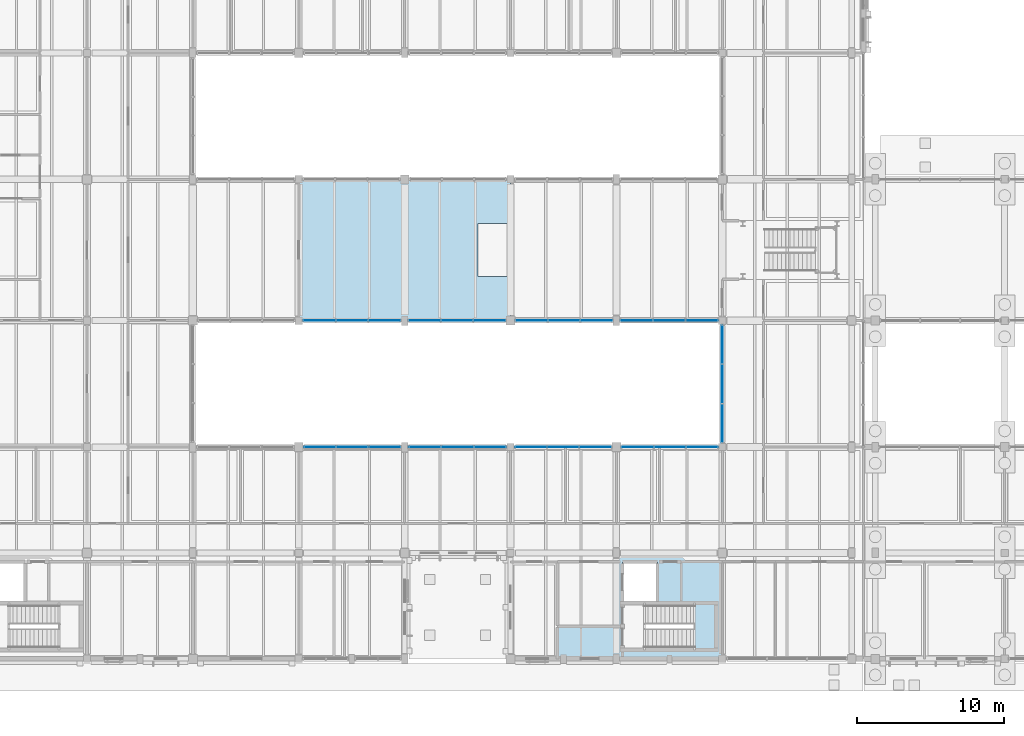
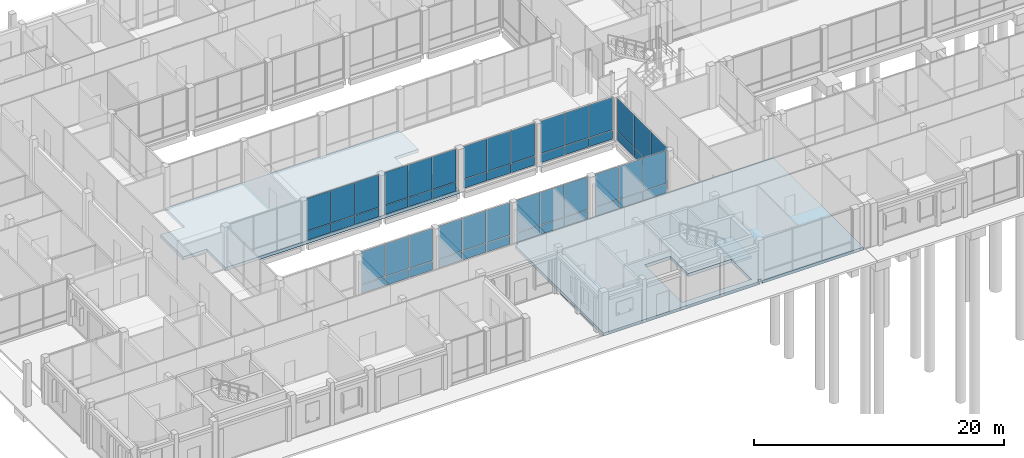
# One storey, part 63 of 104: 54 plates, 3 slabs, 10 elements without a shape of their own.
"""IFC4 building model written with IfcOpenShell, lengths in metres."""

from ifc_helpers import new_model, si_unit, direction, frame, origin, origin_2d, place, context, subcontext, project, spatial, polyline, rectangle, outline, extrude, material, layer, layer_set, type_object, element, aggregate, save


model = new_model("IFC4")

# Units and contexts
model_context = context("Model", 3, precision=1e-05, world=origin(), true_north=direction((0.0, 1.0)))
body_context = subcontext(model_context, "Body", "Model", "MODEL_VIEW")
ifc_project = project(units=[si_unit("LENGTHUNIT", "METRE"), si_unit("AREAUNIT", "SQUARE_METRE"), si_unit("VOLUMEUNIT", "CUBIC_METRE"), si_unit("PLANEANGLEUNIT", "RADIAN"), si_unit("MASSUNIT", "GRAM", prefix="KILO")], contexts=[model_context])

# Site, building, storey
site_placement = place(None, origin())
site = spatial("IfcSite", under=ifc_project, at=site_placement, CompositionType="ELEMENT")
building_placement = place(site_placement, origin())
building = spatial("IfcBuilding", under=site, at=building_placement, Name="Hawrajan Terrace Health Centre", CompositionType="ELEMENT")
storey_placement = place(building_placement, origin())
storey = spatial("IfcBuildingStorey", under=building, at=storey_placement, Name="L00", CompositionType="ELEMENT", Elevation=0.0)

# Curtain wall, plates
ifc_material_1 = material(Name="Anodized bronze aluminium and low-E solar glazing", Category="aluminium")
curtain_wall_type_1 = type_object("IfcCurtainWallType", Name="CW_Hall_SeriesD2", PredefinedType="USERDEFINED", material=ifc_material_1)
curtain_wall_1_placement = place(storey_placement, origin())
curtain_wall_1 = element("IfcCurtainWall", 1, at=curtain_wall_1_placement, inside=storey, type_object=curtain_wall_type_1, Name="Curtain wall CW-L00-011", ObjectType="UNITISED CURTAIN WALL", PredefinedType="USERDEFINED")
ifc_material_2 = material(Name="Diffused north-light insulated glazing", Category="glass")
ifc_layer_1 = layer(ifc_material_2, 0.031982421875)
ifc_layer_set_1 = layer_set([ifc_layer_1], Name="Diffused north-light insulated glazing")
plate_type_1 = type_object("IfcPlateType", Name="ClerestoryGlassPanel_32", PredefinedType="CURTAIN_PANEL", material=ifc_layer_set_1)
plate_1_placement = place(storey_placement, frame((34.83740234375, 18.60009765625, 0.981689453125), z_axis=(0.0, 0.0, 1.0), x_axis=(1.0, 0.0, 0.0)))
plate_1 = element("IfcPlate", 2, at=plate_1_placement, type_object=plate_type_1, Name="Curtain panel CW-L00-011-P1-2", PredefinedType="CURTAIN_PANEL", context=body_context, shape_type="SweptSolid", body=[
    extrude(rectangle(XDim=2.136962890625, YDim=0.031982421875, at=origin_2d()), origin(), (0.0, 0.0, 1.0), 3.1494140625),
])
plate_2_placement = place(storey_placement, frame((37.03759765625, 18.60009765625, 0.981689453125), z_axis=(0.0, 0.0, 1.0), x_axis=(1.0, 0.0, 0.0)))
plate_2 = element("IfcPlate", 3, at=plate_2_placement, type_object=plate_type_1, Name="Curtain panel CW-L00-011-P2-2", PredefinedType="CURTAIN_PANEL", context=body_context, shape_type="SweptSolid", body=[
    extrude(rectangle(XDim=2.136962890625, YDim=0.031982421875, at=origin_2d()), origin(), (0.0, 0.0, 1.0), 3.1494140625),
])
plate_3_placement = place(storey_placement, frame((39.237548828125, 18.60009765625, 0.981689453125), z_axis=(0.0, 0.0, 1.0), x_axis=(1.0, 0.0, 0.0)))
plate_3 = element("IfcPlate", 4, at=plate_3_placement, type_object=plate_type_1, Name="Curtain panel CW-L00-011-P3-2", PredefinedType="CURTAIN_PANEL", context=body_context, shape_type="SweptSolid", body=[
    extrude(rectangle(XDim=2.136962890625, YDim=0.031982421875, at=origin_2d()), origin(), (0.0, 0.0, 1.0), 3.1494140625),
])

curtain_wall_type_2 = type_object("IfcCurtainWallType", Name="CW_Clerestory_SeriesG2", PredefinedType="USERDEFINED", material=ifc_material_1)
curtain_wall_2_placement = place(storey_placement, origin())
curtain_wall_2 = element("IfcCurtainWall", 5, at=curtain_wall_2_placement, inside=storey, type_object=curtain_wall_type_2, Name="Curtain wall CW-L00-017", ObjectType="UNITISED CURTAIN WALL", PredefinedType="USERDEFINED")
plate_4_placement = place(storey_placement, frame((41.970703125, 18.60009765625, 0.981689453125), z_axis=(0.0, 0.0, 1.0), x_axis=(1.0, 0.0, 0.0)))
plate_4 = element("IfcPlate", 6, at=plate_4_placement, type_object=plate_type_1, Name="Curtain panel CW-L00-017-P1-2", PredefinedType="CURTAIN_PANEL", context=body_context, shape_type="SweptSolid", body=[
    extrude(rectangle(XDim=2.15380859375, YDim=0.031982421875, at=origin_2d()), origin(), (0.0, 0.0, 1.0), 3.1494140625),
])
plate_5_placement = place(storey_placement, frame((44.1875, 18.60009765625, 0.981689453125), z_axis=(0.0, 0.0, 1.0), x_axis=(1.0, 0.0, 0.0)))
plate_5 = element("IfcPlate", 7, at=plate_5_placement, type_object=plate_type_1, Name="Curtain panel CW-L00-017-P2-2", PredefinedType="CURTAIN_PANEL", context=body_context, shape_type="SweptSolid", body=[
    extrude(rectangle(XDim=2.15380859375, YDim=0.031982421875, at=origin_2d()), origin(), (0.0, 0.0, 1.0), 3.1494140625),
])
plate_6_placement = place(storey_placement, frame((46.404296875, 18.60009765625, 0.981689453125), z_axis=(0.0, 0.0, 1.0), x_axis=(1.0, 0.0, 0.0)))
plate_6 = element("IfcPlate", 8, at=plate_6_placement, type_object=plate_type_1, Name="Curtain panel CW-L00-017-P3-2", PredefinedType="CURTAIN_PANEL", context=body_context, shape_type="SweptSolid", body=[
    extrude(rectangle(XDim=2.15380859375, YDim=0.031982421875, at=origin_2d()), origin(), (0.0, 0.0, 1.0), 3.1494140625),
])

curtain_wall_type_3 = type_object("IfcCurtainWallType", Name="CW_Court_SeriesA2", PredefinedType="USERDEFINED", material=ifc_material_1)
curtain_wall_3_placement = place(storey_placement, origin())
curtain_wall_3 = element("IfcCurtainWall", 9, at=curtain_wall_3_placement, inside=storey, type_object=curtain_wall_type_3, Name="Curtain wall CW-L00-026", ObjectType="UNITISED CURTAIN WALL", PredefinedType="USERDEFINED")
plate_7_placement = place(storey_placement, frame((56.370849609375, 27.199951171875, 0.981689453125), z_axis=(0.0, 0.0, 1.0), x_axis=(1.0, 0.0, 0.0)))
plate_7 = element("IfcPlate", 10, at=plate_7_placement, type_object=plate_type_1, Name="Curtain panel CW-L00-026-P1-2", PredefinedType="CURTAIN_PANEL", context=body_context, shape_type="SweptSolid", body=[
    extrude(rectangle(XDim=2.15380859375, YDim=0.031982421875, at=origin_2d()), origin(), (0.0, 0.0, 1.0), 3.1494140625),
])
plate_8_placement = place(storey_placement, frame((58.58740234375, 27.199951171875, 0.981689453125), z_axis=(0.0, 0.0, 1.0), x_axis=(1.0, 0.0, 0.0)))
plate_8 = element("IfcPlate", 11, at=plate_8_placement, type_object=plate_type_1, Name="Curtain panel CW-L00-026-P2-2", PredefinedType="CURTAIN_PANEL", context=body_context, shape_type="SweptSolid", body=[
    extrude(rectangle(XDim=2.15380859375, YDim=0.031982421875, at=origin_2d()), origin(), (0.0, 0.0, 1.0), 3.1494140625),
])
plate_9_placement = place(storey_placement, frame((60.80419921875, 27.199951171875, 0.981689453125), z_axis=(0.0, 0.0, 1.0), x_axis=(1.0, 0.0, 0.0)))
plate_9 = element("IfcPlate", 12, at=plate_9_placement, type_object=plate_type_1, Name="Curtain panel CW-L00-026-P3-2", PredefinedType="CURTAIN_PANEL", context=body_context, shape_type="SweptSolid", body=[
    extrude(rectangle(XDim=2.15380859375, YDim=0.031982421875, at=origin_2d()), origin(), (0.0, 0.0, 1.0), 3.1494140625),
])

# Slabs
ifc_material_3 = material(Name="Concrete C40/50", Category="concrete")
ifc_layer_2 = layer(ifc_material_3, 0.300048828125)
ifc_layer_set_2 = layer_set([ifc_layer_2], Name="Concrete C40/50")
slab_type_1 = type_object("IfcSlabType", Name="PodiumSlab_RC300", PredefinedType="FLOOR", material=ifc_layer_set_2)
slab_1_placement = place(storey_placement, frame((0.0, 0.0, -0.300048828125)))
element("IfcSlab", 13, at=slab_1_placement, inside=storey, type_object=slab_type_1, Name="Structural slab SL-L00-W-V1-Z1-1", PredefinedType="FLOOR", context=body_context, shape_type="SweptSolid", body=[
    extrude(outline(polyline([(33.39990234375, 36.800048828125), (40.60009765625, 36.800048828125), (47.800048828125, 36.800048828125), (47.800048828125, 33.800048828125), (45.60009765625, 33.800048828125), (45.60009765625, 30.199951171875), (47.800048828125, 30.199951171875), (47.800048828125, 27.199951171875), (40.60009765625, 27.199951171875), (33.39990234375, 27.199951171875), (26.201904296875, 27.199951171875), (26.201904296875, 30.201904296875), (24.001953125, 30.201904296875), (24.001953125, 33.798095703125), (26.201904296875, 33.798095703125), (26.201904296875, 36.800048828125), (33.39990234375, 36.800048828125)])), origin(), (0.0, 0.0, 1.0), 0.300048828125),
])
slab_2_placement = place(storey_placement, frame((0.0, 0.0, -0.300048828125)))
element("IfcSlab", 14, at=slab_2_placement, inside=storey, type_object=slab_type_1, Name="Structural slab SL-L00-W-V3-Z2-1", PredefinedType="FLOOR", context=body_context, shape_type="SweptSolid", body=[
    extrude(outline(polyline([(48.080078125, 18.320068359375), (48.080078125, 18.60009765625), (55.0, 18.60009765625), (62.197998046875, 18.60009765625), (62.197998046875, 18.597900390625), (71.794921875, 18.597900390625), (71.794921875, 11.39990234375), (71.794921875, 4.199951171875), (62.47998046875, 4.199951171875), (62.47998046875, 4.47998046875), (62.199951171875, 4.47998046875), (62.199951171875, 4.199951171875), (55.0, 4.199951171875), (47.800048828125, 4.199951171875), (47.800048828125, 11.39990234375), (47.800048828125, 18.320068359375), (48.080078125, 18.320068359375)]), holes=[polyline([(61.800048828125, 4.800048828125), (61.800048828125, 8.0), (57.800048828125, 8.0), (57.800048828125, 10.800048828125), (55.39990234375, 10.800048828125), (55.39990234375, 8.0), (55.39990234375, 4.800048828125), (61.800048828125, 4.800048828125)])]), origin(), (0.0, 0.0, 1.0), 0.300048828125),
])

# Curtain wall, plates
curtain_wall_type_4 = type_object("IfcCurtainWallType", Name="CW_Pavilion_SeriesE1", PredefinedType="USERDEFINED", material=ifc_material_1)
curtain_wall_4_placement = place(storey_placement, origin())
curtain_wall_4 = element("IfcCurtainWall", 15, at=curtain_wall_4_placement, inside=storey, type_object=curtain_wall_type_4, Name="Curtain wall CW-L00-012", ObjectType="UNITISED CURTAIN WALL", PredefinedType="USERDEFINED")
ifc_material_4 = material(Name="Insulated anodized bronze spandrel panel")
ifc_layer_3 = layer(ifc_material_4, 0.048095703125)
ifc_layer_set_3 = layer_set([ifc_layer_3], Name="Insulated anodized bronze spandrel panel")
plate_type_2 = type_object("IfcPlateType", Name="SpandrelPanel_Bronze48", PredefinedType="CURTAIN_PANEL", material=ifc_layer_set_3)
plate_10_placement = place(storey_placement, frame((34.79248046875, 27.199951171875, 0.05908203125), z_axis=(0.0, 0.0, 1.0), x_axis=(1.0, 0.0, 0.0)))
plate_10 = element("IfcPlate", 16, at=plate_10_placement, type_object=plate_type_2, Name="Curtain panel CW-L00-012-P1-1", PredefinedType="CURTAIN_PANEL", context=body_context, shape_type="SweptSolid", body=[
    extrude(rectangle(XDim=2.1669921875, YDim=0.048095703125, at=origin_2d()), origin(), (0.0, 0.0, 1.0), 0.864501953125),
])
plate_11_placement = place(storey_placement, frame((37.012451171875, 27.199951171875, 0.05908203125), z_axis=(0.0, 0.0, 1.0), x_axis=(1.0, 0.0, 0.0)))
plate_11 = element("IfcPlate", 17, at=plate_11_placement, type_object=plate_type_2, Name="Curtain panel CW-L00-012-P2-1", PredefinedType="CURTAIN_PANEL", context=body_context, shape_type="SweptSolid", body=[
    extrude(rectangle(XDim=2.1669921875, YDim=0.048095703125, at=origin_2d()), origin(), (0.0, 0.0, 1.0), 0.864501953125),
])
plate_12_placement = place(storey_placement, frame((39.232421875, 27.199951171875, 0.05908203125), z_axis=(0.0, 0.0, 1.0), x_axis=(1.0, 0.0, 0.0)))
plate_12 = element("IfcPlate", 18, at=plate_12_placement, type_object=plate_type_2, Name="Curtain panel CW-L00-012-P3-1", PredefinedType="CURTAIN_PANEL", context=body_context, shape_type="SweptSolid", body=[
    extrude(rectangle(XDim=2.1669921875, YDim=0.048095703125, at=origin_2d()), origin(), (0.0, 0.0, 1.0), 0.864501953125),
])

curtain_wall_type_5 = type_object("IfcCurtainWallType", Name="CW_Clerestory_SeriesG3", PredefinedType="USERDEFINED", material=ifc_material_1)
curtain_wall_5_placement = place(storey_placement, origin())
curtain_wall_5 = element("IfcCurtainWall", 19, at=curtain_wall_5_placement, inside=storey, type_object=curtain_wall_type_5, Name="Curtain wall CW-L00-018", ObjectType="UNITISED CURTAIN WALL", PredefinedType="USERDEFINED")
plate_13_placement = place(storey_placement, frame((41.959228515625, 27.199951171875, 0.05908203125), z_axis=(0.0, 0.0, 1.0), x_axis=(1.0, 0.0, 0.0)))
plate_13 = element("IfcPlate", 20, at=plate_13_placement, type_object=plate_type_2, Name="Curtain panel CW-L00-018-P1-1", PredefinedType="CURTAIN_PANEL", context=body_context, shape_type="SweptSolid", body=[
    extrude(rectangle(XDim=2.150390625, YDim=0.048095703125, at=origin_2d()), origin(), (0.0, 0.0, 1.0), 0.864501953125),
])
plate_14_placement = place(storey_placement, frame((44.16259765625, 27.199951171875, 0.05908203125), z_axis=(0.0, 0.0, 1.0), x_axis=(1.0, 0.0, 0.0)))
plate_14 = element("IfcPlate", 21, at=plate_14_placement, type_object=plate_type_2, Name="Curtain panel CW-L00-018-P2-1", PredefinedType="CURTAIN_PANEL", context=body_context, shape_type="SweptSolid", body=[
    extrude(rectangle(XDim=2.150390625, YDim=0.048095703125, at=origin_2d()), origin(), (0.0, 0.0, 1.0), 0.864501953125),
])
plate_15_placement = place(storey_placement, frame((46.36572265625, 27.199951171875, 0.05908203125), z_axis=(0.0, 0.0, 1.0), x_axis=(1.0, 0.0, 0.0)))
plate_15 = element("IfcPlate", 22, at=plate_15_placement, type_object=plate_type_2, Name="Curtain panel CW-L00-018-P3-1", PredefinedType="CURTAIN_PANEL", context=body_context, shape_type="SweptSolid", body=[
    extrude(rectangle(XDim=2.150390625, YDim=0.048095703125, at=origin_2d()), origin(), (0.0, 0.0, 1.0), 0.864501953125),
])

curtain_wall_type_6 = type_object("IfcCurtainWallType", Name="CW_Setback_SeriesL1", PredefinedType="USERDEFINED", material=ifc_material_1)
curtain_wall_6_placement = place(storey_placement, origin())
curtain_wall_6 = element("IfcCurtainWall", 23, at=curtain_wall_6_placement, inside=storey, type_object=curtain_wall_type_6, Name="Curtain wall CW-L00-022", ObjectType="UNITISED CURTAIN WALL", PredefinedType="USERDEFINED")
plate_16_placement = place(storey_placement, frame((49.234130859375, 27.199951171875, 0.05908203125), z_axis=(0.0, 0.0, 1.0), x_axis=(1.0, 0.0, 0.0)))
plate_16 = element("IfcPlate", 24, at=plate_16_placement, type_object=plate_type_2, Name="Curtain panel CW-L00-022-P1-1", PredefinedType="CURTAIN_PANEL", context=body_context, shape_type="SweptSolid", body=[
    extrude(rectangle(XDim=2.150390625, YDim=0.048095703125, at=origin_2d()), origin(), (0.0, 0.0, 1.0), 0.864501953125),
])
plate_17_placement = place(storey_placement, frame((51.4375, 27.199951171875, 0.05908203125), z_axis=(0.0, 0.0, 1.0), x_axis=(1.0, 0.0, 0.0)))
plate_17 = element("IfcPlate", 25, at=plate_17_placement, type_object=plate_type_2, Name="Curtain panel CW-L00-022-P2-1", PredefinedType="CURTAIN_PANEL", context=body_context, shape_type="SweptSolid", body=[
    extrude(rectangle(XDim=2.150390625, YDim=0.048095703125, at=origin_2d()), origin(), (0.0, 0.0, 1.0), 0.864501953125),
])
plate_18_placement = place(storey_placement, frame((53.640869140625, 27.199951171875, 0.05908203125), z_axis=(0.0, 0.0, 1.0), x_axis=(1.0, 0.0, 0.0)))
plate_18 = element("IfcPlate", 26, at=plate_18_placement, type_object=plate_type_2, Name="Curtain panel CW-L00-022-P3-1", PredefinedType="CURTAIN_PANEL", context=body_context, shape_type="SweptSolid", body=[
    extrude(rectangle(XDim=2.150390625, YDim=0.048095703125, at=origin_2d()), origin(), (0.0, 0.0, 1.0), 0.864501953125),
])

# Plate
plate_19_placement = place(storey_placement, frame((56.370849609375, 27.199951171875, 0.06884765625), z_axis=(0.0, 0.0, 1.0), x_axis=(1.0, 0.0, 0.0)))
plate_19 = element("IfcPlate", 27, at=plate_19_placement, type_object=plate_type_2, Name="Curtain panel CW-L00-026-P1-1", PredefinedType="CURTAIN_PANEL", context=body_context, shape_type="SweptSolid", body=[
    extrude(rectangle(XDim=2.15380859375, YDim=0.048095703125, at=origin_2d()), origin(), (0.0, 0.0, 1.0), 0.849609375),
])

plate_20_placement = place(storey_placement, frame((58.58740234375, 27.199951171875, 0.06884765625), z_axis=(0.0, 0.0, 1.0), x_axis=(1.0, 0.0, 0.0)))
plate_20 = element("IfcPlate", 28, at=plate_20_placement, type_object=plate_type_2, Name="Curtain panel CW-L00-026-P2-1", PredefinedType="CURTAIN_PANEL", context=body_context, shape_type="SweptSolid", body=[
    extrude(rectangle(XDim=2.15380859375, YDim=0.048095703125, at=origin_2d()), origin(), (0.0, 0.0, 1.0), 0.849609375),
])

plate_21_placement = place(storey_placement, frame((60.80419921875, 27.199951171875, 0.06884765625), z_axis=(0.0, 0.0, 1.0), x_axis=(1.0, 0.0, 0.0)))
plate_21 = element("IfcPlate", 29, at=plate_21_placement, type_object=plate_type_2, Name="Curtain panel CW-L00-026-P3-1", PredefinedType="CURTAIN_PANEL", context=body_context, shape_type="SweptSolid", body=[
    extrude(rectangle(XDim=2.15380859375, YDim=0.048095703125, at=origin_2d()), origin(), (0.0, 0.0, 1.0), 0.849609375),
])

aggregate(curtain_wall_3, [plate_19, plate_7, plate_20, plate_8, plate_21, plate_9])

# Curtain wall, plates
curtain_wall_type_7 = type_object("IfcCurtainWallType", Name="CW_Court_SeriesB3", PredefinedType="USERDEFINED", material=ifc_material_1)
curtain_wall_7_placement = place(storey_placement, origin())
curtain_wall_7 = element("IfcCurtainWall", 30, at=curtain_wall_7_placement, inside=storey, type_object=curtain_wall_type_7, Name="Curtain wall CW-L00-030", ObjectType="UNITISED CURTAIN WALL", PredefinedType="USERDEFINED")
plate_22_placement = place(storey_placement, frame((62.199951171875, 20.2216796875, 0.05908203125), z_axis=(0.0, 0.0, 1.0), x_axis=(0.0, 1.0, 0.0)))
plate_22 = element("IfcPlate", 31, at=plate_22_placement, type_object=plate_type_2, Name="Curtain panel CW-L00-030-P1-1", PredefinedType="CURTAIN_PANEL", context=body_context, shape_type="SweptSolid", body=[
    extrude(rectangle(XDim=2.625244140625, YDim=0.048095703125, at=origin_2d()), origin(), (0.0, 0.0, 1.0), 0.864501953125),
])
plate_23_placement = place(storey_placement, frame((62.199951171875, 22.89990234375, 0.05908203125), z_axis=(0.0, 0.0, 1.0), x_axis=(0.0, 1.0, 0.0)))
plate_23 = element("IfcPlate", 32, at=plate_23_placement, type_object=plate_type_2, Name="Curtain panel CW-L00-030-P2-1", PredefinedType="CURTAIN_PANEL", context=body_context, shape_type="SweptSolid", body=[
    extrude(rectangle(XDim=2.625244140625, YDim=0.048095703125, at=origin_2d()), origin(), (0.0, 0.0, 1.0), 0.864501953125),
])
plate_24_placement = place(storey_placement, frame((62.199951171875, 25.578369140625, 0.05908203125), z_axis=(0.0, 0.0, 1.0), x_axis=(0.0, 1.0, 0.0)))
plate_24 = element("IfcPlate", 33, at=plate_24_placement, type_object=plate_type_2, Name="Curtain panel CW-L00-030-P3-1", PredefinedType="CURTAIN_PANEL", context=body_context, shape_type="SweptSolid", body=[
    extrude(rectangle(XDim=2.625244140625, YDim=0.048095703125, at=origin_2d()), origin(), (0.0, 0.0, 1.0), 0.864501953125),
])

# Plate
ifc_material_5 = material(Name="Insulated reconstituted coral-stone spandrel", Category="masonry")
ifc_layer_4 = layer(ifc_material_5, 0.055908203125)
ifc_layer_set_4 = layer_set([ifc_layer_4], Name="Insulated reconstituted coral-stone spandrel")
plate_type_3 = type_object("IfcPlateType", Name="SpandrelPanel_Coral56", PredefinedType="CURTAIN_PANEL", material=ifc_layer_set_4)
plate_25_placement = place(storey_placement, frame((34.83740234375, 18.60009765625, 0.06884765625), z_axis=(0.0, 0.0, 1.0), x_axis=(1.0, 0.0, 0.0)))
plate_25 = element("IfcPlate", 34, at=plate_25_placement, type_object=plate_type_3, Name="Curtain panel CW-L00-011-P1-1", PredefinedType="CURTAIN_PANEL", context=body_context, shape_type="SweptSolid", body=[
    extrude(rectangle(XDim=2.136962890625, YDim=0.055908203125, at=origin_2d()), origin(), (0.0, 0.0, 1.0), 0.849609375),
])

plate_26_placement = place(storey_placement, frame((37.03759765625, 18.60009765625, 0.06884765625), z_axis=(0.0, 0.0, 1.0), x_axis=(1.0, 0.0, 0.0)))
plate_26 = element("IfcPlate", 35, at=plate_26_placement, type_object=plate_type_3, Name="Curtain panel CW-L00-011-P2-1", PredefinedType="CURTAIN_PANEL", context=body_context, shape_type="SweptSolid", body=[
    extrude(rectangle(XDim=2.136962890625, YDim=0.055908203125, at=origin_2d()), origin(), (0.0, 0.0, 1.0), 0.849609375),
])

plate_27_placement = place(storey_placement, frame((39.237548828125, 18.60009765625, 0.06884765625), z_axis=(0.0, 0.0, 1.0), x_axis=(1.0, 0.0, 0.0)))
plate_27 = element("IfcPlate", 36, at=plate_27_placement, type_object=plate_type_3, Name="Curtain panel CW-L00-011-P3-1", PredefinedType="CURTAIN_PANEL", context=body_context, shape_type="SweptSolid", body=[
    extrude(rectangle(XDim=2.136962890625, YDim=0.055908203125, at=origin_2d()), origin(), (0.0, 0.0, 1.0), 0.849609375),
])

aggregate(curtain_wall_1, [plate_25, plate_1, plate_26, plate_2, plate_27, plate_3])

plate_28_placement = place(storey_placement, frame((41.970703125, 18.60009765625, 0.06884765625), z_axis=(0.0, 0.0, 1.0), x_axis=(1.0, 0.0, 0.0)))
plate_28 = element("IfcPlate", 37, at=plate_28_placement, type_object=plate_type_3, Name="Curtain panel CW-L00-017-P1-1", PredefinedType="CURTAIN_PANEL", context=body_context, shape_type="SweptSolid", body=[
    extrude(rectangle(XDim=2.15380859375, YDim=0.055908203125, at=origin_2d()), origin(), (0.0, 0.0, 1.0), 0.849609375),
])

plate_29_placement = place(storey_placement, frame((44.1875, 18.60009765625, 0.06884765625), z_axis=(0.0, 0.0, 1.0), x_axis=(1.0, 0.0, 0.0)))
plate_29 = element("IfcPlate", 38, at=plate_29_placement, type_object=plate_type_3, Name="Curtain panel CW-L00-017-P2-1", PredefinedType="CURTAIN_PANEL", context=body_context, shape_type="SweptSolid", body=[
    extrude(rectangle(XDim=2.15380859375, YDim=0.055908203125, at=origin_2d()), origin(), (0.0, 0.0, 1.0), 0.849609375),
])

plate_30_placement = place(storey_placement, frame((46.404296875, 18.60009765625, 0.06884765625), z_axis=(0.0, 0.0, 1.0), x_axis=(1.0, 0.0, 0.0)))
plate_30 = element("IfcPlate", 39, at=plate_30_placement, type_object=plate_type_3, Name="Curtain panel CW-L00-017-P3-1", PredefinedType="CURTAIN_PANEL", context=body_context, shape_type="SweptSolid", body=[
    extrude(rectangle(XDim=2.15380859375, YDim=0.055908203125, at=origin_2d()), origin(), (0.0, 0.0, 1.0), 0.849609375),
])

aggregate(curtain_wall_2, [plate_28, plate_4, plate_29, plate_5, plate_30, plate_6])

# Curtain wall, plates
curtain_wall_type_8 = type_object("IfcCurtainWallType", Name="CW_Terrace_SeriesK1", PredefinedType="USERDEFINED", material=ifc_material_1)
curtain_wall_8_placement = place(storey_placement, origin())
curtain_wall_8 = element("IfcCurtainWall", 40, at=curtain_wall_8_placement, inside=storey, type_object=curtain_wall_type_8, Name="Curtain wall CW-L00-021", ObjectType="UNITISED CURTAIN WALL", PredefinedType="USERDEFINED")
plate_31_placement = place(storey_placement, frame((49.179931640625, 18.60009765625, 0.05908203125), z_axis=(0.0, 0.0, 1.0), x_axis=(1.0, 0.0, 0.0)))
plate_31 = element("IfcPlate", 41, at=plate_31_placement, type_object=plate_type_3, Name="Curtain panel CW-L00-021-P1-1", PredefinedType="CURTAIN_PANEL", context=body_context, shape_type="SweptSolid", body=[
    extrude(rectangle(XDim=2.14208984375, YDim=0.055908203125, at=origin_2d()), origin(), (0.0, 0.0, 1.0), 0.864501953125),
])
plate_32_placement = place(storey_placement, frame((51.375, 18.60009765625, 0.05908203125), z_axis=(0.0, 0.0, 1.0), x_axis=(1.0, 0.0, 0.0)))
plate_32 = element("IfcPlate", 42, at=plate_32_placement, type_object=plate_type_3, Name="Curtain panel CW-L00-021-P2-1", PredefinedType="CURTAIN_PANEL", context=body_context, shape_type="SweptSolid", body=[
    extrude(rectangle(XDim=2.14208984375, YDim=0.055908203125, at=origin_2d()), origin(), (0.0, 0.0, 1.0), 0.864501953125),
])
plate_33_placement = place(storey_placement, frame((53.570068359375, 18.60009765625, 0.05908203125), z_axis=(0.0, 0.0, 1.0), x_axis=(1.0, 0.0, 0.0)))
plate_33 = element("IfcPlate", 43, at=plate_33_placement, type_object=plate_type_3, Name="Curtain panel CW-L00-021-P3-1", PredefinedType="CURTAIN_PANEL", context=body_context, shape_type="SweptSolid", body=[
    extrude(rectangle(XDim=2.14208984375, YDim=0.055908203125, at=origin_2d()), origin(), (0.0, 0.0, 1.0), 0.864501953125),
])

curtain_wall_type_9 = type_object("IfcCurtainWallType", Name="CW_Court_SeriesA1", PredefinedType="USERDEFINED", material=ifc_material_1)
curtain_wall_9_placement = place(storey_placement, origin())
curtain_wall_9 = element("IfcCurtainWall", 44, at=curtain_wall_9_placement, inside=storey, type_object=curtain_wall_type_9, Name="Curtain wall CW-L00-025", ObjectType="UNITISED CURTAIN WALL", PredefinedType="USERDEFINED")
plate_34_placement = place(storey_placement, frame((56.429931640625, 18.60009765625, 0.05908203125), z_axis=(0.0, 0.0, 1.0), x_axis=(1.0, 0.0, 0.0)))
plate_34 = element("IfcPlate", 45, at=plate_34_placement, type_object=plate_type_3, Name="Curtain panel CW-L00-025-P1-1", PredefinedType="CURTAIN_PANEL", context=body_context, shape_type="SweptSolid", body=[
    extrude(rectangle(XDim=2.14208984375, YDim=0.055908203125, at=origin_2d()), origin(), (0.0, 0.0, 1.0), 0.864501953125),
])
plate_35_placement = place(storey_placement, frame((58.625, 18.60009765625, 0.05908203125), z_axis=(0.0, 0.0, 1.0), x_axis=(1.0, 0.0, 0.0)))
plate_35 = element("IfcPlate", 46, at=plate_35_placement, type_object=plate_type_3, Name="Curtain panel CW-L00-025-P2-1", PredefinedType="CURTAIN_PANEL", context=body_context, shape_type="SweptSolid", body=[
    extrude(rectangle(XDim=2.14208984375, YDim=0.055908203125, at=origin_2d()), origin(), (0.0, 0.0, 1.0), 0.864501953125),
])
plate_36_placement = place(storey_placement, frame((60.820068359375, 18.60009765625, 0.05908203125), z_axis=(0.0, 0.0, 1.0), x_axis=(1.0, 0.0, 0.0)))
plate_36 = element("IfcPlate", 47, at=plate_36_placement, type_object=plate_type_3, Name="Curtain panel CW-L00-025-P3-1", PredefinedType="CURTAIN_PANEL", context=body_context, shape_type="SweptSolid", body=[
    extrude(rectangle(XDim=2.14208984375, YDim=0.055908203125, at=origin_2d()), origin(), (0.0, 0.0, 1.0), 0.864501953125),
])

# Stair, slab
stair_type = type_object("IfcStairType", Name="Stair_4500_W1300", PredefinedType="HALF_TURN_STAIR", material=ifc_material_3)
stair_placement = place(storey_placement, origin())
stair = element("IfcStair", 48, at=stair_placement, inside=storey, type_object=stair_type, Name="Stair ST-4-L00", PredefinedType="HALF_TURN_STAIR")
ifc_layer_5 = layer(ifc_material_3, 0.219970703125)
ifc_layer_set_5 = layer_set([ifc_layer_5], Name="Concrete C40/50")
slab_type_2 = type_object("IfcSlabType", Name="StairLanding_RC220", PredefinedType="LANDING", material=ifc_layer_set_5)
slab_3_placement = place(storey_placement, frame((0.0, 0.0, 2.030029296875)))
slab_3 = element("IfcSlab", 49, at=slab_3_placement, type_object=slab_type_2, Name="Stair half landing ST-4-L00-L1", PredefinedType="LANDING", context=body_context, shape_type="SweptSolid", body=[
    extrude(outline(polyline([(60.300048828125, 4.800048828125), (61.800048828125, 4.800048828125), (61.800048828125, 8.0), (60.300048828125, 8.0), (60.300048828125, 4.800048828125)])), origin(), (0.0, 0.0, 1.0), 0.219970703125),
])
aggregate(stair, [slab_3])

# Plate
ifc_material_6 = material(Name="Double-glazed solar control low-E glass", Category="glass")
ifc_layer_6 = layer(ifc_material_6, 0.028076171875)
ifc_layer_set_6 = layer_set([ifc_layer_6], Name="Double-glazed solar control low-E glass")
plate_type_4 = type_object("IfcPlateType", Name="VisionGlassPanel_28", PredefinedType="CURTAIN_PANEL", material=ifc_layer_set_6)
plate_37_placement = place(storey_placement, frame((34.79248046875, 27.199951171875, 0.9765625), z_axis=(0.0, 0.0, 1.0), x_axis=(1.0, 0.0, 0.0)))
plate_37 = element("IfcPlate", 50, at=plate_37_placement, type_object=plate_type_4, Name="Curtain panel CW-L00-012-P1-2", PredefinedType="CURTAIN_PANEL", context=body_context, shape_type="SweptSolid", body=[
    extrude(rectangle(XDim=2.1669921875, YDim=0.028076171875, at=origin_2d()), origin(), (0.0, 0.0, 1.0), 3.16455078125),
])

plate_38_placement = place(storey_placement, frame((37.012451171875, 27.199951171875, 0.9765625), z_axis=(0.0, 0.0, 1.0), x_axis=(1.0, 0.0, 0.0)))
plate_38 = element("IfcPlate", 51, at=plate_38_placement, type_object=plate_type_4, Name="Curtain panel CW-L00-012-P2-2", PredefinedType="CURTAIN_PANEL", context=body_context, shape_type="SweptSolid", body=[
    extrude(rectangle(XDim=2.1669921875, YDim=0.028076171875, at=origin_2d()), origin(), (0.0, 0.0, 1.0), 3.16455078125),
])

plate_39_placement = place(storey_placement, frame((39.232421875, 27.199951171875, 0.9765625), z_axis=(0.0, 0.0, 1.0), x_axis=(1.0, 0.0, 0.0)))
plate_39 = element("IfcPlate", 52, at=plate_39_placement, type_object=plate_type_4, Name="Curtain panel CW-L00-012-P3-2", PredefinedType="CURTAIN_PANEL", context=body_context, shape_type="SweptSolid", body=[
    extrude(rectangle(XDim=2.1669921875, YDim=0.028076171875, at=origin_2d()), origin(), (0.0, 0.0, 1.0), 3.16455078125),
])

aggregate(curtain_wall_4, [plate_10, plate_37, plate_11, plate_38, plate_12, plate_39])

plate_40_placement = place(storey_placement, frame((41.959228515625, 27.199951171875, 0.9765625), z_axis=(0.0, 0.0, 1.0), x_axis=(1.0, 0.0, 0.0)))
plate_40 = element("IfcPlate", 53, at=plate_40_placement, type_object=plate_type_4, Name="Curtain panel CW-L00-018-P1-2", PredefinedType="CURTAIN_PANEL", context=body_context, shape_type="SweptSolid", body=[
    extrude(rectangle(XDim=2.150390625, YDim=0.028076171875, at=origin_2d()), origin(), (0.0, 0.0, 1.0), 3.16455078125),
])

plate_41_placement = place(storey_placement, frame((44.16259765625, 27.199951171875, 0.9765625), z_axis=(0.0, 0.0, 1.0), x_axis=(1.0, 0.0, 0.0)))
plate_41 = element("IfcPlate", 54, at=plate_41_placement, type_object=plate_type_4, Name="Curtain panel CW-L00-018-P2-2", PredefinedType="CURTAIN_PANEL", context=body_context, shape_type="SweptSolid", body=[
    extrude(rectangle(XDim=2.150390625, YDim=0.028076171875, at=origin_2d()), origin(), (0.0, 0.0, 1.0), 3.16455078125),
])

plate_42_placement = place(storey_placement, frame((46.36572265625, 27.199951171875, 0.9765625), z_axis=(0.0, 0.0, 1.0), x_axis=(1.0, 0.0, 0.0)))
plate_42 = element("IfcPlate", 55, at=plate_42_placement, type_object=plate_type_4, Name="Curtain panel CW-L00-018-P3-2", PredefinedType="CURTAIN_PANEL", context=body_context, shape_type="SweptSolid", body=[
    extrude(rectangle(XDim=2.150390625, YDim=0.028076171875, at=origin_2d()), origin(), (0.0, 0.0, 1.0), 3.16455078125),
])

aggregate(curtain_wall_5, [plate_13, plate_40, plate_14, plate_41, plate_15, plate_42])

plate_43_placement = place(storey_placement, frame((49.179931640625, 18.60009765625, 0.9765625), z_axis=(0.0, 0.0, 1.0), x_axis=(1.0, 0.0, 0.0)))
plate_43 = element("IfcPlate", 56, at=plate_43_placement, type_object=plate_type_4, Name="Curtain panel CW-L00-021-P1-2", PredefinedType="CURTAIN_PANEL", context=body_context, shape_type="SweptSolid", body=[
    extrude(rectangle(XDim=2.14208984375, YDim=0.028076171875, at=origin_2d()), origin(), (0.0, 0.0, 1.0), 3.16455078125),
])

plate_44_placement = place(storey_placement, frame((51.375, 18.60009765625, 0.9765625), z_axis=(0.0, 0.0, 1.0), x_axis=(1.0, 0.0, 0.0)))
plate_44 = element("IfcPlate", 57, at=plate_44_placement, type_object=plate_type_4, Name="Curtain panel CW-L00-021-P2-2", PredefinedType="CURTAIN_PANEL", context=body_context, shape_type="SweptSolid", body=[
    extrude(rectangle(XDim=2.14208984375, YDim=0.028076171875, at=origin_2d()), origin(), (0.0, 0.0, 1.0), 3.16455078125),
])

plate_45_placement = place(storey_placement, frame((53.570068359375, 18.60009765625, 0.9765625), z_axis=(0.0, 0.0, 1.0), x_axis=(1.0, 0.0, 0.0)))
plate_45 = element("IfcPlate", 58, at=plate_45_placement, type_object=plate_type_4, Name="Curtain panel CW-L00-021-P3-2", PredefinedType="CURTAIN_PANEL", context=body_context, shape_type="SweptSolid", body=[
    extrude(rectangle(XDim=2.14208984375, YDim=0.028076171875, at=origin_2d()), origin(), (0.0, 0.0, 1.0), 3.16455078125),
])

aggregate(curtain_wall_8, [plate_31, plate_43, plate_32, plate_44, plate_33, plate_45])

plate_46_placement = place(storey_placement, frame((62.199951171875, 20.2216796875, 0.9765625), z_axis=(0.0, 0.0, 1.0), x_axis=(0.0, 1.0, 0.0)))
plate_46 = element("IfcPlate", 59, at=plate_46_placement, type_object=plate_type_4, Name="Curtain panel CW-L00-030-P1-2", PredefinedType="CURTAIN_PANEL", context=body_context, shape_type="SweptSolid", body=[
    extrude(rectangle(XDim=2.625244140625, YDim=0.028076171875, at=origin_2d()), origin(), (0.0, 0.0, 1.0), 3.16455078125),
])

plate_47_placement = place(storey_placement, frame((62.199951171875, 22.89990234375, 0.9765625), z_axis=(0.0, 0.0, 1.0), x_axis=(0.0, 1.0, 0.0)))
plate_47 = element("IfcPlate", 60, at=plate_47_placement, type_object=plate_type_4, Name="Curtain panel CW-L00-030-P2-2", PredefinedType="CURTAIN_PANEL", context=body_context, shape_type="SweptSolid", body=[
    extrude(rectangle(XDim=2.625244140625, YDim=0.028076171875, at=origin_2d()), origin(), (0.0, 0.0, 1.0), 3.16455078125),
])

plate_48_placement = place(storey_placement, frame((62.199951171875, 25.578369140625, 0.9765625), z_axis=(0.0, 0.0, 1.0), x_axis=(0.0, 1.0, 0.0)))
plate_48 = element("IfcPlate", 61, at=plate_48_placement, type_object=plate_type_4, Name="Curtain panel CW-L00-030-P3-2", PredefinedType="CURTAIN_PANEL", context=body_context, shape_type="SweptSolid", body=[
    extrude(rectangle(XDim=2.625244140625, YDim=0.028076171875, at=origin_2d()), origin(), (0.0, 0.0, 1.0), 3.16455078125),
])

aggregate(curtain_wall_7, [plate_22, plate_46, plate_23, plate_47, plate_24, plate_48])

ifc_material_7 = material(Name="Triple-glazed solar acoustic low-E glass", Category="glass")
ifc_layer_7 = layer(ifc_material_7, 0.035888671875)
ifc_layer_set_7 = layer_set([ifc_layer_7], Name="Triple-glazed solar acoustic low-E glass")
plate_type_5 = type_object("IfcPlateType", Name="VisionGlassPanel_36", PredefinedType="CURTAIN_PANEL", material=ifc_layer_set_7)
plate_49_placement = place(storey_placement, frame((49.234130859375, 27.199951171875, 0.9765625), z_axis=(0.0, 0.0, 1.0), x_axis=(1.0, 0.0, 0.0)))
plate_49 = element("IfcPlate", 62, at=plate_49_placement, type_object=plate_type_5, Name="Curtain panel CW-L00-022-P1-2", PredefinedType="CURTAIN_PANEL", context=body_context, shape_type="SweptSolid", body=[
    extrude(rectangle(XDim=2.150390625, YDim=0.035888671875, at=origin_2d()), origin(), (0.0, 0.0, 1.0), 3.16455078125),
])

plate_50_placement = place(storey_placement, frame((51.4375, 27.199951171875, 0.9765625), z_axis=(0.0, 0.0, 1.0), x_axis=(1.0, 0.0, 0.0)))
plate_50 = element("IfcPlate", 63, at=plate_50_placement, type_object=plate_type_5, Name="Curtain panel CW-L00-022-P2-2", PredefinedType="CURTAIN_PANEL", context=body_context, shape_type="SweptSolid", body=[
    extrude(rectangle(XDim=2.150390625, YDim=0.035888671875, at=origin_2d()), origin(), (0.0, 0.0, 1.0), 3.16455078125),
])

plate_51_placement = place(storey_placement, frame((53.640869140625, 27.199951171875, 0.9765625), z_axis=(0.0, 0.0, 1.0), x_axis=(1.0, 0.0, 0.0)))
plate_51 = element("IfcPlate", 64, at=plate_51_placement, type_object=plate_type_5, Name="Curtain panel CW-L00-022-P3-2", PredefinedType="CURTAIN_PANEL", context=body_context, shape_type="SweptSolid", body=[
    extrude(rectangle(XDim=2.150390625, YDim=0.035888671875, at=origin_2d()), origin(), (0.0, 0.0, 1.0), 3.16455078125),
])

aggregate(curtain_wall_6, [plate_16, plate_49, plate_17, plate_50, plate_18, plate_51])

plate_52_placement = place(storey_placement, frame((56.429931640625, 18.60009765625, 0.9765625), z_axis=(0.0, 0.0, 1.0), x_axis=(1.0, 0.0, 0.0)))
plate_52 = element("IfcPlate", 65, at=plate_52_placement, type_object=plate_type_5, Name="Curtain panel CW-L00-025-P1-2", PredefinedType="CURTAIN_PANEL", context=body_context, shape_type="SweptSolid", body=[
    extrude(rectangle(XDim=2.14208984375, YDim=0.035888671875, at=origin_2d()), origin(), (0.0, 0.0, 1.0), 3.16455078125),
])

plate_53_placement = place(storey_placement, frame((58.625, 18.60009765625, 0.9765625), z_axis=(0.0, 0.0, 1.0), x_axis=(1.0, 0.0, 0.0)))
plate_53 = element("IfcPlate", 66, at=plate_53_placement, type_object=plate_type_5, Name="Curtain panel CW-L00-025-P2-2", PredefinedType="CURTAIN_PANEL", context=body_context, shape_type="SweptSolid", body=[
    extrude(rectangle(XDim=2.14208984375, YDim=0.035888671875, at=origin_2d()), origin(), (0.0, 0.0, 1.0), 3.16455078125),
])

plate_54_placement = place(storey_placement, frame((60.820068359375, 18.60009765625, 0.9765625), z_axis=(0.0, 0.0, 1.0), x_axis=(1.0, 0.0, 0.0)))
plate_54 = element("IfcPlate", 67, at=plate_54_placement, type_object=plate_type_5, Name="Curtain panel CW-L00-025-P3-2", PredefinedType="CURTAIN_PANEL", context=body_context, shape_type="SweptSolid", body=[
    extrude(rectangle(XDim=2.14208984375, YDim=0.035888671875, at=origin_2d()), origin(), (0.0, 0.0, 1.0), 3.16455078125),
])

aggregate(curtain_wall_9, [plate_34, plate_52, plate_35, plate_53, plate_36, plate_54])

save(model, "model.ifc")
